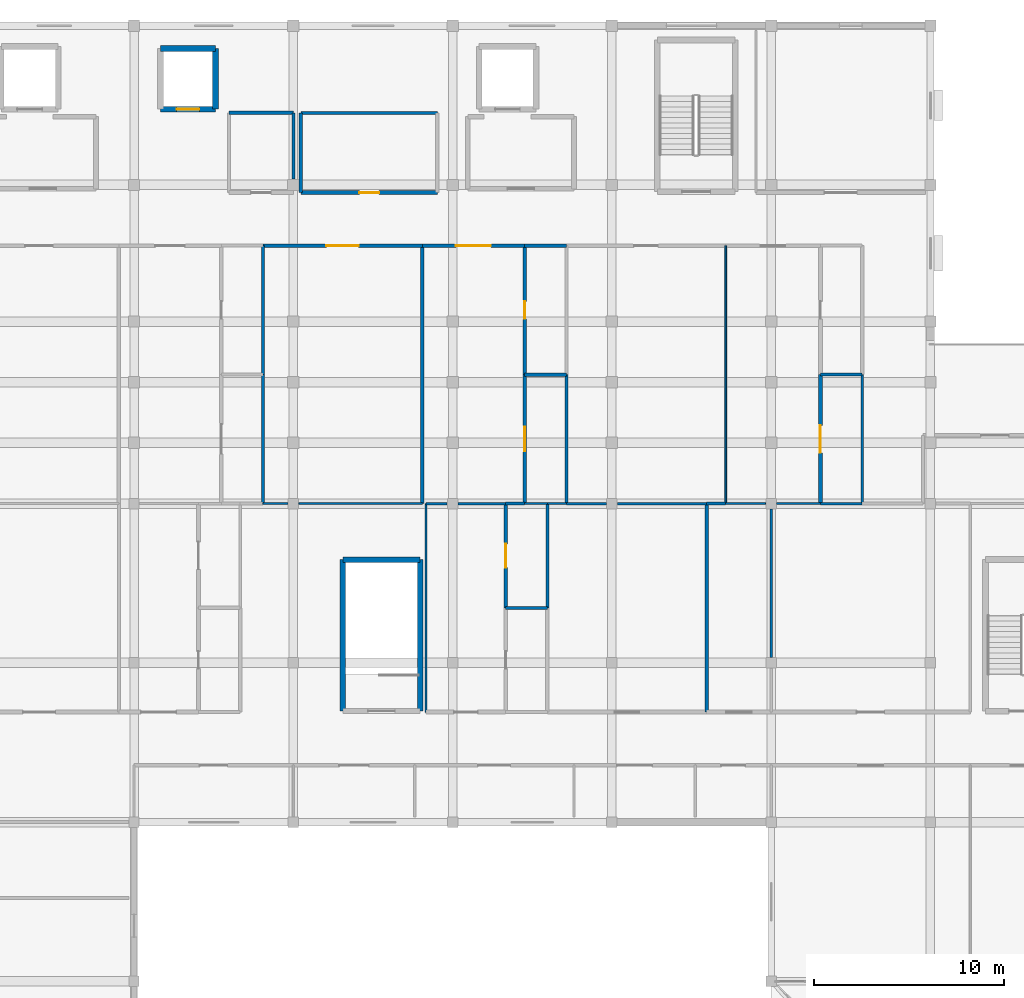
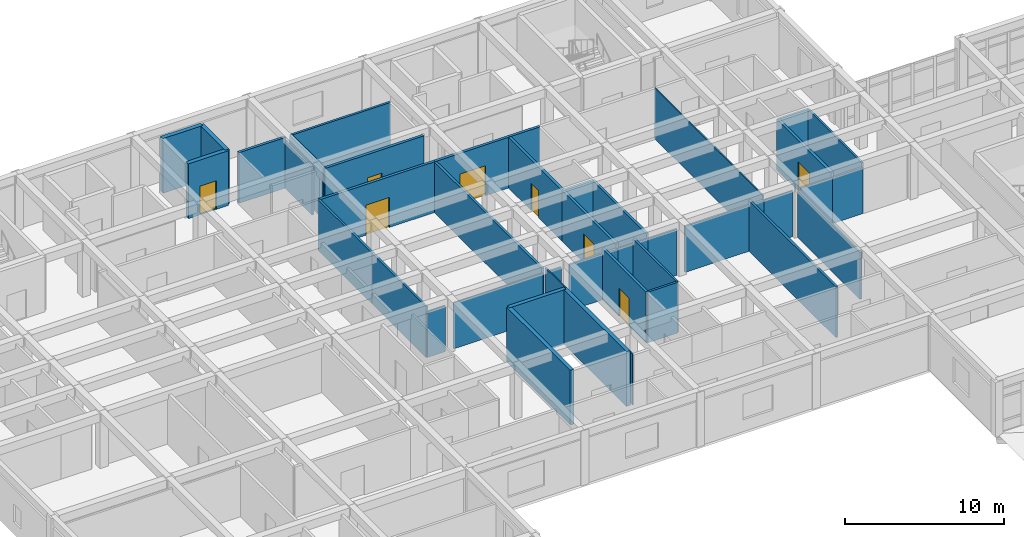
# One storey, part 49 of 77: 44 walls, 8 doors, 8 openings.
"""IFC4 building model written with IfcOpenShell, lengths in metres."""

from ifc_helpers import new_model, si_unit, direction, frame, frame_2d, origin, place, context, subcontext, project, spatial, rectangle, extrude, material, layer, layer_set, type_object, element, fill, save


model = new_model("IFC4")

# Units and contexts
model_context = context("Model", 3, precision=1e-05, world=origin(), true_north=direction((0.0, 1.0)))
body_context = subcontext(model_context, "Body", "Model", "MODEL_VIEW")
ifc_project = project(units=[si_unit("LENGTHUNIT", "METRE"), si_unit("AREAUNIT", "SQUARE_METRE"), si_unit("VOLUMEUNIT", "CUBIC_METRE"), si_unit("PLANEANGLEUNIT", "RADIAN"), si_unit("MASSUNIT", "GRAM", prefix="KILO")], contexts=[model_context])

# Site, building, storey
site_placement = place(None, origin())
site = spatial("IfcSite", under=ifc_project, at=site_placement, CompositionType="ELEMENT")
building_placement = place(site_placement, origin())
building = spatial("IfcBuilding", under=site, at=building_placement, Name="Varncliffe General Hospital", CompositionType="ELEMENT")
storey_placement = place(building_placement, frame((0.0, 0.0, 16.199951171875)))
storey = spatial("IfcBuildingStorey", under=building, at=storey_placement, Name="L03", CompositionType="ELEMENT", Elevation=16.199951171875)

# Walls
ifc_material_1 = material(Name="Acoustic clinical gypsum stud partition assembly", Category="gypsum")
ifc_layer_1 = layer(ifc_material_1, 0.1298828125)
ifc_layer_set_1 = layer_set([ifc_layer_1], Name="Acoustic clinical gypsum stud partition assembly")
wall_type_1 = type_object("IfcWallType", Name="Interior Partitioning IW11 (130mm)", PredefinedType="PARTITIONING", material=ifc_layer_set_1)
wall_1_placement = place(storey_placement, frame((42.2900390625, 99.60009765625, 0.0), z_axis=(0.0, 0.0, 1.0), x_axis=(1.0, 0.0, 0.0)))
element("IfcWall", 1, at=wall_1_placement, inside=storey, type_object=wall_type_1, Name="L03 Interior Partition Wall IW11-1408", PredefinedType="PARTITIONING", context=body_context, shape_type="SweptSolid", body=[
    extrude(rectangle(XDim=2.510009765625, YDim=0.1298828125, at=frame_2d((1.2548828125, 0.0))), origin(), (0.0, 0.0, 1.0), 3.53515625),
])
wall_2_placement = place(storey_placement, frame((40.60009765625, 99.60009765625, 0.0), z_axis=(0.0, 0.0, 1.0), x_axis=(1.0, 0.0, 0.0)))
element("IfcWall", 2, at=wall_2_placement, inside=storey, type_object=wall_type_1, Name="L03 Interior Partition Wall IW11-1409", PredefinedType="PARTITIONING", context=body_context, shape_type="SweptSolid", body=[
    extrude(rectangle(XDim=1.10986328125, YDim=0.1298828125, at=frame_2d((0.554931640625, 0.0))), origin(), (0.0, 0.0, 1.0), 3.53515625),
])
wall_3_placement = place(storey_placement, frame((50.68994140625, 99.60009765625, 0.0), z_axis=(0.0, 0.0, 1.0), x_axis=(1.0, 0.0, 0.0)))
element("IfcWall", 3, at=wall_3_placement, inside=storey, type_object=wall_type_1, Name="L03 Interior Partition Wall IW11-1413", PredefinedType="PARTITIONING", context=body_context, shape_type="SweptSolid", body=[
    extrude(rectangle(XDim=4.7099609375, YDim=0.1298828125, at=frame_2d((2.35498046875, 0.0))), origin(), (0.0, 0.0, 1.0), 3.53515625),
])
wall_4_placement = place(storey_placement, frame((48.0, 99.60009765625, 0.0), z_axis=(0.0, 0.0, 1.0), x_axis=(1.0, 0.0, 0.0)))
element("IfcWall", 4, at=wall_4_placement, inside=storey, type_object=wall_type_1, Name="L03 Interior Partition Wall IW11-1414", PredefinedType="PARTITIONING", context=body_context, shape_type="SweptSolid", body=[
    extrude(rectangle(XDim=2.110107421875, YDim=0.1298828125, at=frame_2d((1.05517578125, 0.0))), origin(), (0.0, 0.0, 1.0), 3.53515625),
])
wall_5_placement = place(storey_placement, frame((61.39990234375, 99.60009765625, 0.0), z_axis=(0.0, 0.0, 1.0), x_axis=(1.0, 0.0, 0.0)))
element("IfcWall", 5, at=wall_5_placement, inside=storey, type_object=wall_type_1, Name="L03 Interior Partition Wall IW11-1418", PredefinedType="PARTITIONING", context=body_context, shape_type="SweptSolid", body=[
    extrude(rectangle(XDim=2.2001953125, YDim=0.1298828125, at=frame_2d((1.10009765625, 0.0))), origin(), (0.0, 0.0, 1.0), 3.53515625),
])
wall_6_placement = place(storey_placement, frame((63.60009765625, 99.60009765625, 0.0), z_axis=(0.0, 0.0, 1.0), x_axis=(0.0, 1.0, 0.0)))
element("IfcWall", 6, at=wall_6_placement, inside=storey, type_object=wall_type_1, Name="L03 Interior Partition Wall IW11-1573", PredefinedType="PARTITIONING", context=body_context, shape_type="SweptSolid", body=[
    extrude(rectangle(XDim=6.7998046875, YDim=0.1298828125, at=frame_2d((3.39990234375, 0.0))), origin(), (0.0, 0.0, 1.0), 3.89013671875),
])
ifc_layer_2 = layer(ifc_material_1, 0.169921875)
ifc_layer_set_2 = layer_set([ifc_layer_2], Name="Acoustic clinical gypsum stud partition assembly")
wall_type_2 = type_object("IfcWallType", Name="Interior Partitioning IW20 (170mm)", PredefinedType="PARTITIONING", material=ifc_layer_set_2)
for number, where, z_axis, x_axis, name in (
    (7, (44.800048828125, 99.60009765625, 0.0), (0.0, 0.0, 1.0), (1.0, 0.0, 0.0), "L03 Interior Partition Wall IW20-1410"),
    (8, (55.39990234375, 99.60009765625, 0.0), (0.0, 0.0, 1.0), (1.0, 0.0, 0.0), "L03 Interior Partition Wall IW20-1415"),
):
    element("IfcWall", number, at=place(storey_placement, frame(where, z_axis=z_axis, x_axis=x_axis)), inside=storey, type_object=wall_type_2, Name=name, PredefinedType="PARTITIONING", context=body_context, shape_type="SweptSolid", body=[
        extrude(rectangle(XDim=1.0, YDim=0.169921875, at=frame_2d((0.5, 0.0))), origin(), (0.0, 0.0, 1.0), 3.53515625),
    ])
wall_7_placement = place(storey_placement, frame((40.39990234375, 99.60009765625, 0.0), z_axis=(0.0, 0.0, 1.0), x_axis=(0.0, 1.0, 0.0)))
element("IfcWall", 9, at=wall_7_placement, inside=storey, type_object=wall_type_2, Name="L03 Interior Partition Wall IW20-1550", PredefinedType="PARTITIONING", context=body_context, shape_type="SweptSolid", body=[
    extrude(rectangle(XDim=13.599853515625, YDim=0.169921875, at=frame_2d((6.7998046875, 0.0))), origin(), (0.0, 0.0, 1.0), 3.89013671875),
])
wall_8_placement = place(storey_placement, frame((48.0, 99.60009765625, 0.0), z_axis=(0.0, 0.0, 1.0), x_axis=(0.0, 1.0, 0.0)))
element("IfcWall", 10, at=wall_8_placement, inside=storey, type_object=wall_type_2, Name="L03 Interior Partition Wall IW20-1560", PredefinedType="PARTITIONING", context=body_context, shape_type="SweptSolid", body=[
    extrude(rectangle(XDim=6.7998046875, YDim=0.169921875, at=frame_2d((3.39990234375, 0.0))), origin(), (0.0, 0.0, 1.0), 3.89013671875),
])
wall_9_placement = place(storey_placement, frame((55.39990234375, 88.60009765625, 0.0), z_axis=(0.0, 0.0, 1.0), x_axis=(0.0, 1.0, 0.0)))
element("IfcWall", 11, at=wall_9_placement, inside=storey, type_object=wall_type_2, Name="L03 Interior Partition Wall IW20-1565", PredefinedType="PARTITIONING", context=body_context, shape_type="SweptSolid", body=[
    extrude(rectangle(XDim=11.0, YDim=0.169921875, at=frame_2d((5.5, 0.0))), origin(), (0.0, 0.0, 1.0), 3.89013671875),
])
ifc_layer_3 = layer(ifc_material_1, 0.14990234375)
ifc_layer_set_3 = layer_set([ifc_layer_3], Name="Acoustic clinical gypsum stud partition assembly")
wall_type_3 = type_object("IfcWallType", Name="Interior Partitioning IW35 (150mm)", PredefinedType="PARTITIONING", material=ifc_layer_set_3)
wall_10_placement = place(storey_placement, frame((32.0, 99.60009765625, 0.0), z_axis=(0.0, 0.0, 1.0), x_axis=(0.0, 1.0, 0.0)))
element("IfcWall", 12, at=wall_10_placement, inside=storey, type_object=wall_type_3, Name="L03 Interior Partition Wall IW35-1544", PredefinedType="PARTITIONING", context=body_context, shape_type="SweptSolid", body=[
    extrude(rectangle(XDim=6.7998046875, YDim=0.14990234375, at=frame_2d((3.39990234375, 0.0))), origin(), (0.0, 0.0, 1.0), 3.89013671875),
])
wall_11_placement = place(storey_placement, frame((47.0, 94.10009765625, 0.0), z_axis=(0.0, 0.0, 1.0), x_axis=(0.0, 1.0, 0.0)))
element("IfcWall", 13, at=wall_11_placement, inside=storey, type_object=wall_type_3, Name="L03 Interior Partition Wall IW35-1559", PredefinedType="PARTITIONING", context=body_context, shape_type="SweptSolid", body=[
    extrude(rectangle(XDim=5.5, YDim=0.14990234375, at=frame_2d((2.75, 0.0))), origin(), (0.0, 0.0, 1.0), 3.89013671875),
])
wall_12_placement = place(storey_placement, frame((58.800048828125, 91.489990234375, 0.0), z_axis=(0.0, 0.0, 1.0), x_axis=(0.0, 1.0, 0.0)))
element("IfcWall", 14, at=wall_12_placement, inside=storey, type_object=wall_type_3, Name="L03 Interior Partition Wall IW35-1569", PredefinedType="PARTITIONING", context=body_context, shape_type="SweptSolid", body=[
    extrude(rectangle(XDim=7.820068359375, YDim=0.14990234375, at=frame_2d((3.91015625, 0.0))), origin(), (0.0, 0.0, 1.0), 3.5849609375),
])
ifc_layer_4 = layer(ifc_material_1, 0.090087890625)
ifc_layer_set_4 = layer_set([ifc_layer_4], Name="Acoustic clinical gypsum stud partition assembly")
wall_type_4 = type_object("IfcWallType", Name="Interior Partitioning IW42 (90mm)", PredefinedType="PARTITIONING", material=ifc_layer_set_4)
wall_13_placement = place(storey_placement, frame((33.889892578125, 99.60009765625, 0.0), z_axis=(0.0, 0.0, 1.0), x_axis=(1.0, 0.0, 0.0)))
element("IfcWall", 15, at=wall_13_placement, inside=storey, type_object=wall_type_4, Name="L03 Interior Partition Wall IW42-1406", PredefinedType="PARTITIONING", context=body_context, shape_type="SweptSolid", body=[
    extrude(rectangle(XDim=6.510009765625, YDim=0.090087890625, at=frame_2d((3.2548828125, 0.0))), origin(), (0.0, 0.0, 1.0), 3.53515625),
])
wall_14_placement = place(storey_placement, frame((32.0, 99.60009765625, 0.0), z_axis=(0.0, 0.0, 1.0), x_axis=(1.0, 0.0, 0.0)))
element("IfcWall", 16, at=wall_14_placement, inside=storey, type_object=wall_type_4, Name="L03 Interior Partition Wall IW42-1407", PredefinedType="PARTITIONING", context=body_context, shape_type="SweptSolid", body=[
    extrude(rectangle(XDim=1.31005859375, YDim=0.090087890625, at=frame_2d((0.655029296875, 0.0))), origin(), (0.0, 0.0, 1.0), 3.53515625),
])
wall_15_placement = place(storey_placement, frame((45.800048828125, 99.60009765625, 0.0), z_axis=(0.0, 0.0, 1.0), x_axis=(1.0, 0.0, 0.0)))
element("IfcWall", 17, at=wall_15_placement, inside=storey, type_object=wall_type_4, Name="L03 Interior Partition Wall IW42-1411", PredefinedType="PARTITIONING", context=body_context, shape_type="SweptSolid", body=[
    extrude(rectangle(XDim=1.199951171875, YDim=0.090087890625, at=frame_2d((0.60009765625, 0.0))), origin(), (0.0, 0.0, 1.0), 3.53515625),
])
wall_16_placement = place(storey_placement, frame((56.39990234375, 99.60009765625, 0.0), z_axis=(0.0, 0.0, 1.0), x_axis=(1.0, 0.0, 0.0)))
element("IfcWall", 18, at=wall_16_placement, inside=storey, type_object=wall_type_4, Name="L03 Interior Partition Wall IW42-1416", PredefinedType="PARTITIONING", context=body_context, shape_type="SweptSolid", body=[
    extrude(rectangle(XDim=2.110107421875, YDim=0.090087890625, at=frame_2d((1.05517578125, 0.0))), origin(), (0.0, 0.0, 1.0), 3.53515625),
])
wall_17_placement = place(storey_placement, frame((40.60009765625, 88.60009765625, 0.0), z_axis=(0.0, 0.0, 1.0), x_axis=(0.0, 1.0, 0.0)))
element("IfcWall", 19, at=wall_17_placement, inside=storey, type_object=wall_type_4, Name="L03 Interior Partition Wall IW42-1551", PredefinedType="PARTITIONING", context=body_context, shape_type="SweptSolid", body=[
    extrude(rectangle(XDim=11.0, YDim=0.090087890625, at=frame_2d((5.5, 0.0))), origin(), (0.0, 0.0, 1.0), 3.89013671875),
])
wall_18_placement = place(storey_placement, frame((56.39990234375, 99.60009765625, 0.0), z_axis=(0.0, 0.0, 1.0), x_axis=(0.0, 1.0, 0.0)))
element("IfcWall", 20, at=wall_18_placement, inside=storey, type_object=wall_type_4, Name="L03 Interior Partition Wall IW42-1566", PredefinedType="PARTITIONING", context=body_context, shape_type="SweptSolid", body=[
    extrude(rectangle(XDim=13.599853515625, YDim=0.090087890625, at=frame_2d((6.7998046875, 0.0))), origin(), (0.0, 0.0, 1.0), 3.89013671875),
])
ifc_layer_5 = layer(ifc_material_1, 0.110107421875)
ifc_layer_set_5 = layer_set([ifc_layer_5], Name="Acoustic clinical gypsum stud partition assembly")
wall_type_5 = type_object("IfcWallType", Name="Interior Partitioning IW65 (110mm)", PredefinedType="PARTITIONING", material=ifc_layer_set_5)
wall_19_placement = place(storey_placement, frame((47.0, 99.60009765625, 0.0), z_axis=(0.0, 0.0, 1.0), x_axis=(1.0, 0.0, 0.0)))
element("IfcWall", 21, at=wall_19_placement, inside=storey, type_object=wall_type_5, Name="L03 Interior Partition Wall IW65-1412", PredefinedType="PARTITIONING", context=body_context, shape_type="SweptSolid", body=[
    extrude(rectangle(XDim=1.0, YDim=0.110107421875, at=frame_2d((0.5, 0.0))), origin(), (0.0, 0.0, 1.0), 3.53515625),
])
wall_20_placement = place(storey_placement, frame((59.090087890625, 99.60009765625, 0.0), z_axis=(0.0, 0.0, 1.0), x_axis=(1.0, 0.0, 0.0)))
element("IfcWall", 22, at=wall_20_placement, inside=storey, type_object=wall_type_5, Name="L03 Interior Partition Wall IW65-1417", PredefinedType="PARTITIONING", context=body_context, shape_type="SweptSolid", body=[
    extrude(rectangle(XDim=2.309814453125, YDim=0.110107421875, at=frame_2d((1.15478515625, 0.0))), origin(), (0.0, 0.0, 1.0), 3.53515625),
])

# Wall, opening, door
ifc_material_2 = material(Name="Fire-rated gypsum and mineral-wool partition assembly", Category="gypsum")
ifc_layer_6 = layer(ifc_material_2, 0.199951171875)
ifc_layer_set_6 = layer_set([ifc_layer_6], Name="Fire-rated gypsum and mineral-wool partition assembly")
wall_type_6 = type_object("IfcWallType", Name="Interior Partitioning PW63 (200mm)", PredefinedType="PARTITIONING", material=ifc_layer_set_6)
wall_21_placement = place(storey_placement, frame((32.0, 113.199951171875, 0.0), z_axis=(0.0, 0.0, 1.0), x_axis=(1.0, 0.0, 0.0)))
wall_21 = element("IfcWall", 23, at=wall_21_placement, inside=storey, type_object=wall_type_6, Name="L03 Interior Partition Wall PW63-1464", PredefinedType="PARTITIONING", context=body_context, shape_type="SweptSolid", body=[
    extrude(rectangle(XDim=8.39990234375, YDim=0.199951171875, at=frame_2d((4.199951171875, 0.0))), origin(), (0.0, 0.0, 1.0), 3.89013671875),
])
opening_1_placement = place(wall_21_placement, frame((3.35009765625, 0.0, 0.0)))
opening_1 = element("IfcOpeningElement", 24, at=opening_1_placement, cuts=wall_21, Name="Opening DC50", PredefinedType="OPENING", context=body_context, shape_type="SweptSolid", body=[
    extrude(rectangle(XDim=1.699951171875, YDim=2.300048828125, at=frame_2d((0.85009765625, 1.14990234375))), frame((0.0, 0.10986328125, 0.0), z_axis=(0.0, -1.0, 0.0), x_axis=(1.0, 0.0, 0.0)), (0.0, 0.0, 1.0), 0.219970703125),
])
ifc_material_3 = material(Name="Fire-rated hospital steel-frame vision-panel door", Category="steel")
door_type_1 = type_object("IfcDoorType", Name="Interior Hospital Door DC50 (1700x2300)", OperationType="NOTDEFINED", PredefinedType="DOOR", material=ifc_material_3)
door_1_placement = place(opening_1_placement, frame((1.699951171875, 0.0, 0.0), z_axis=(0.0, 0.0, 1.0), x_axis=(-1.0, 0.0, 0.0)))
door_1 = element("IfcDoor", 25, at=door_1_placement, inside=storey, type_object=door_type_1, Name="L03 Inpatient Physiotherapy Gym Bay 107 Door", OperationType="SINGLE_SWING_RIGHT", OverallHeight=2.300048828125, OverallWidth=1.699951171875, PredefinedType="DOOR", context=body_context, shape_type="SweptSolid", body=[
    extrude(rectangle(XDim=1.699951171875, YDim=2.300048828125, at=frame_2d((0.85009765625, 1.14990234375))), frame((0.0, 0.02490234375, 0.0), z_axis=(0.0, -1.0, 0.0), x_axis=(1.0, 0.0, 0.0)), (0.0, 0.0, 1.0), 0.050048828125),
])
fill(opening_1, door_1)

wall_22_placement = place(storey_placement, frame((40.39990234375, 113.199951171875, 0.0), z_axis=(0.0, 0.0, 1.0), x_axis=(1.0, 0.0, 0.0)))
wall_22 = element("IfcWall", 26, at=wall_22_placement, inside=storey, type_object=wall_type_6, Name="L03 Interior Partition Wall PW63-1465", PredefinedType="PARTITIONING", context=body_context, shape_type="SweptSolid", body=[
    extrude(rectangle(XDim=5.400146484375, YDim=0.199951171875, at=frame_2d((2.7001953125, 0.0))), origin(), (0.0, 0.0, 1.0), 3.89013671875),
])
opening_2_placement = place(wall_22_placement, frame((1.77490234375, 0.0, 0.0)))
opening_2 = element("IfcOpeningElement", 27, at=opening_2_placement, cuts=wall_22, Name="Opening DC38", PredefinedType="OPENING", context=body_context, shape_type="SweptSolid", body=[
    extrude(rectangle(XDim=1.85009765625, YDim=2.300048828125, at=frame_2d((0.925048828125, 1.14990234375))), frame((0.0, 0.10986328125, 0.0), z_axis=(0.0, -1.0, 0.0), x_axis=(1.0, 0.0, 0.0)), (0.0, 0.0, 1.0), 0.219970703125),
])
door_type_2 = type_object("IfcDoorType", Name="Interior Hospital Door DC38 (1850x2300)", OperationType="NOTDEFINED", PredefinedType="DOOR", material=ifc_material_3)
door_2_placement = place(opening_2_placement, frame((1.85009765625, 0.0, 0.0), z_axis=(0.0, 0.0, 1.0), x_axis=(-1.0, 0.0, 0.0)))
door_2 = element("IfcDoor", 28, at=door_2_placement, inside=storey, type_object=door_type_2, Name="L03 Orthopaedic Inpatient Ward Suite 108 Door", OperationType="SINGLE_SWING_LEFT", OverallHeight=2.300048828125, OverallWidth=1.85009765625, PredefinedType="DOOR", context=body_context, shape_type="SweptSolid", body=[
    extrude(rectangle(XDim=1.85009765625, YDim=2.300048828125, at=frame_2d((0.925048828125, 1.14990234375))), frame((0.0, 0.02490234375, 0.0), z_axis=(0.0, -1.0, 0.0), x_axis=(1.0, 0.0, 0.0)), (0.0, 0.0, 1.0), 0.050048828125),
])
fill(opening_2, door_2)

wall_23_placement = place(storey_placement, frame((34.0, 116.0, 0.0), z_axis=(0.0, 0.0, 1.0), x_axis=(1.0, 0.0, 0.0)))
wall_23 = element("IfcWall", 29, at=wall_23_placement, inside=storey, type_object=wall_type_6, Name="L03 Interior Partition Wall PW63-1483", PredefinedType="PARTITIONING", context=body_context, shape_type="SweptSolid", body=[
    extrude(rectangle(XDim=7.199951171875, YDim=0.199951171875, at=frame_2d((3.60009765625, 0.0))), origin(), (0.0, 0.0, 1.0), 3.89013671875),
])
opening_3_placement = place(wall_23_placement, frame((3.080078125, 0.0, 0.0)))
opening_3 = element("IfcOpeningElement", 30, at=opening_3_placement, cuts=wall_23, Name="Opening DI77", PredefinedType="OPENING", context=body_context, shape_type="SweptSolid", body=[
    extrude(rectangle(XDim=1.0400390625, YDim=2.10009765625, at=frame_2d((0.52001953125, 1.050048828125))), frame((0.0, 0.10986328125, 0.0), z_axis=(0.0, -1.0, 0.0), x_axis=(1.0, 0.0, 0.0)), (0.0, 0.0, 1.0), 0.219970703125),
])
ifc_material_4 = material(Name="Solid-core antimicrobial hospital oak veneer door", Category="wood")
door_type_3 = type_object("IfcDoorType", Name="Interior Hospital Door DI77 (1040x2100)", OperationType="NOTDEFINED", PredefinedType="DOOR", material=ifc_material_4)
door_3_placement = place(opening_3_placement, origin())
door_3 = element("IfcDoor", 31, at=door_3_placement, inside=storey, type_object=door_type_3, Name="L03 Staff and Visitor WC L03-NW Door", OperationType="SINGLE_SWING_LEFT", OverallHeight=2.10009765625, OverallWidth=1.0400390625, PredefinedType="DOOR", context=body_context, shape_type="SweptSolid", body=[
    extrude(rectangle(XDim=1.0400390625, YDim=2.10009765625, at=frame_2d((0.52001953125, 1.050048828125))), frame((0.0, 0.02490234375, 0.0), z_axis=(0.0, -1.0, 0.0), x_axis=(1.0, 0.0, 0.0)), (0.0, 0.0, 1.0), 0.050048828125),
])
fill(opening_3, door_3)

wall_24_placement = place(storey_placement, frame((44.800048828125, 94.10009765625, 0.0), z_axis=(0.0, 0.0, 1.0), x_axis=(0.0, 1.0, 0.0)))
wall_24 = element("IfcWall", 32, at=wall_24_placement, inside=storey, type_object=wall_type_6, Name="L03 Interior Partition Wall PW63-1555", PredefinedType="PARTITIONING", context=body_context, shape_type="SweptSolid", body=[
    extrude(rectangle(XDim=5.5, YDim=0.199951171875, at=frame_2d((2.75, 0.0))), origin(), (0.0, 0.0, 1.0), 3.89013671875),
])
opening_4_placement = place(wall_24_placement, frame((2.125, 0.0, 0.0)))
opening_4 = element("IfcOpeningElement", 33, at=opening_4_placement, cuts=wall_24, Name="Opening DC44", PredefinedType="OPENING", context=body_context, shape_type="SweptSolid", body=[
    extrude(rectangle(XDim=1.25, YDim=2.14990234375, at=frame_2d((0.625, 1.074951171875))), frame((0.0, 0.10986328125, 0.0), z_axis=(0.0, -1.0, 0.0), x_axis=(1.0, 0.0, 0.0)), (0.0, 0.0, 1.0), 0.219970703125),
])
door_type_4 = type_object("IfcDoorType", Name="Interior Hospital Door DC44 (1250x2150)", OperationType="NOTDEFINED", PredefinedType="DOOR", material=ifc_material_3)
door_4_placement = place(opening_4_placement, frame((1.25, 0.0, 0.0), z_axis=(0.0, 0.0, 1.0), x_axis=(-1.0, 0.0, 0.0)))
door_4 = element("IfcDoor", 34, at=door_4_placement, inside=storey, type_object=door_type_4, Name="L03 Patient Medication and Hygiene Bay 54 Door", OperationType="SINGLE_SWING_RIGHT", OverallHeight=2.14990234375, OverallWidth=1.25, PredefinedType="DOOR", context=body_context, shape_type="SweptSolid", body=[
    extrude(rectangle(XDim=1.25, YDim=2.14990234375, at=frame_2d((0.625, 1.074951171875))), frame((0.0, 0.02490234375, 0.0), z_axis=(0.0, -1.0, 0.0), x_axis=(1.0, 0.0, 0.0)), (0.0, 0.0, 1.0), 0.050048828125),
])
fill(opening_4, door_4)

wall_25_placement = place(storey_placement, frame((45.800048828125, 99.60009765625, 0.0), z_axis=(0.0, 0.0, 1.0), x_axis=(0.0, 1.0, 0.0)))
wall_25 = element("IfcWall", 35, at=wall_25_placement, inside=storey, type_object=wall_type_6, Name="L03 Interior Partition Wall PW63-1556", PredefinedType="PARTITIONING", context=body_context, shape_type="SweptSolid", body=[
    extrude(rectangle(XDim=6.7998046875, YDim=0.199951171875, at=frame_2d((3.39990234375, 0.0))), origin(), (0.0, 0.0, 1.0), 3.89013671875),
])
opening_5_placement = place(wall_25_placement, frame((2.75, 0.0, 0.0)))
opening_5 = element("IfcOpeningElement", 36, at=opening_5_placement, cuts=wall_25, Name="Opening DC88", PredefinedType="OPENING", context=body_context, shape_type="SweptSolid", body=[
    extrude(rectangle(XDim=1.300048828125, YDim=2.199951171875, at=frame_2d((0.64990234375, 1.10009765625))), frame((0.0, 0.10986328125, 0.0), z_axis=(0.0, -1.0, 0.0), x_axis=(1.0, 0.0, 0.0)), (0.0, 0.0, 1.0), 0.219970703125),
])
door_type_5 = type_object("IfcDoorType", Name="Interior Hospital Door DC88 (1300x2200)", OperationType="NOTDEFINED", PredefinedType="DOOR", material=ifc_material_3)
door_5_placement = place(opening_5_placement, frame((1.300048828125, 0.0, 0.0), z_axis=(0.0, 0.0, 1.0), x_axis=(-1.0, 0.0, 0.0)))
door_5 = element("IfcDoor", 37, at=door_5_placement, inside=storey, type_object=door_type_5, Name="L03 Patient Medication and Hygiene Bay 110 Door", OperationType="SINGLE_SWING_LEFT", OverallHeight=2.199951171875, OverallWidth=1.300048828125, PredefinedType="DOOR", context=body_context, shape_type="SweptSolid", body=[
    extrude(rectangle(XDim=1.300048828125, YDim=2.199951171875, at=frame_2d((0.64990234375, 1.10009765625))), frame((0.0, 0.02490234375, 0.0), z_axis=(0.0, -1.0, 0.0), x_axis=(1.0, 0.0, 0.0)), (0.0, 0.0, 1.0), 0.050048828125),
])
fill(opening_5, door_5)

wall_26_placement = place(storey_placement, frame((45.800048828125, 106.39990234375, 0.0), z_axis=(0.0, 0.0, 1.0), x_axis=(0.0, 1.0, 0.0)))
wall_26 = element("IfcWall", 38, at=wall_26_placement, inside=storey, type_object=wall_type_6, Name="L03 Interior Partition Wall PW63-1557", PredefinedType="PARTITIONING", context=body_context, shape_type="SweptSolid", body=[
    extrude(rectangle(XDim=6.800048828125, YDim=0.199951171875, at=frame_2d((3.39990234375, 0.0))), origin(), (0.0, 0.0, 1.0), 3.89013671875),
])
opening_6_placement = place(wall_26_placement, frame((2.93994140625, 0.0, 0.0)))
opening_6 = element("IfcOpeningElement", 39, at=opening_6_placement, cuts=wall_26, Name="Opening DI70", PredefinedType="OPENING", context=body_context, shape_type="SweptSolid", body=[
    extrude(rectangle(XDim=0.919921875, YDim=2.10009765625, at=frame_2d((0.4599609375, 1.050048828125))), frame((0.0, 0.10986328125, 0.0), z_axis=(0.0, -1.0, 0.0), x_axis=(1.0, 0.0, 0.0)), (0.0, 0.0, 1.0), 0.219970703125),
])
door_type_6 = type_object("IfcDoorType", Name="Interior Hospital Door DI70 (920x2100)", OperationType="NOTDEFINED", PredefinedType="DOOR", material=ifc_material_4)
door_6_placement = place(opening_6_placement, frame((0.919921875, 0.0, 0.0), z_axis=(0.0, 0.0, 1.0), x_axis=(-1.0, 0.0, 0.0)))
door_6 = element("IfcDoor", 40, at=door_6_placement, inside=storey, type_object=door_type_6, Name="L03 En-Suite Bathroom 109 Door", OperationType="SINGLE_SWING_RIGHT", OverallHeight=2.10009765625, OverallWidth=0.919921875, PredefinedType="DOOR", context=body_context, shape_type="SweptSolid", body=[
    extrude(rectangle(XDim=0.919921875, YDim=2.10009765625, at=frame_2d((0.4599609375, 1.050048828125))), frame((0.0, 0.02490234375, 0.0), z_axis=(0.0, -1.0, 0.0), x_axis=(1.0, 0.0, 0.0)), (0.0, 0.0, 1.0), 0.050048828125),
])
fill(opening_6, door_6)

wall_27_placement = place(storey_placement, frame((61.39990234375, 99.60009765625, 0.0), z_axis=(0.0, 0.0, 1.0), x_axis=(0.0, 1.0, 0.0)))
wall_27 = element("IfcWall", 41, at=wall_27_placement, inside=storey, type_object=wall_type_6, Name="L03 Interior Partition Wall PW63-1571", PredefinedType="PARTITIONING", context=body_context, shape_type="SweptSolid", body=[
    extrude(rectangle(XDim=6.7998046875, YDim=0.199951171875, at=frame_2d((3.39990234375, 0.0))), origin(), (0.0, 0.0, 1.0), 3.89013671875),
])
opening_7_placement = place(wall_27_placement, frame((2.675048828125, 0.0, 0.0)))
opening_7 = element("IfcOpeningElement", 42, at=opening_7_placement, cuts=wall_27, Name="Opening DC66", PredefinedType="OPENING", context=body_context, shape_type="SweptSolid", body=[
    extrude(rectangle(XDim=1.449951171875, YDim=2.25, at=frame_2d((0.72509765625, 1.125))), frame((0.0, 0.10986328125, 0.0), z_axis=(0.0, -1.0, 0.0), x_axis=(1.0, 0.0, 0.0)), (0.0, 0.0, 1.0), 0.219970703125),
])
door_type_7 = type_object("IfcDoorType", Name="Interior Hospital Door DC66 (1450x2250)", OperationType="NOTDEFINED", PredefinedType="DOOR", material=ifc_material_3)
door_7_placement = place(opening_7_placement, frame((1.449951171875, 0.0, 0.0), z_axis=(0.0, 0.0, 1.0), x_axis=(-1.0, 0.0, 0.0)))
door_7 = element("IfcDoor", 43, at=door_7_placement, inside=storey, type_object=door_type_7, Name="L03 Patient Medication and Hygiene Bay 114 Door", OperationType="SINGLE_SWING_LEFT", OverallHeight=2.25, OverallWidth=1.449951171875, PredefinedType="DOOR", context=body_context, shape_type="SweptSolid", body=[
    extrude(rectangle(XDim=1.449951171875, YDim=2.25, at=frame_2d((0.72509765625, 1.125))), frame((0.0, 0.02490234375, 0.0), z_axis=(0.0, -1.0, 0.0), x_axis=(1.0, 0.0, 0.0)), (0.0, 0.0, 1.0), 0.050048828125),
])
fill(opening_7, door_7)

# Walls
ifc_material_5 = material(Name="Moisture-resistant plumbing chase wall assembly", Category="gypsum")
ifc_layer_7 = layer(ifc_material_5, 0.18994140625)
ifc_layer_set_7 = layer_set([ifc_layer_7], Name="Moisture-resistant plumbing chase wall assembly")
wall_type_7 = type_object("IfcWallType", Name="Interior Plumbingwall MW17 (190mm)", PredefinedType="PLUMBINGWALL", material=ifc_layer_set_7)
for number, where, z_axis, x_axis, name in (
    (44, (45.800048828125, 106.39990234375, 0.0), (0.0, 0.0, 1.0), (1.0, 0.0, 0.0), "L03 Interior Plumbing Wall MW17-1454"),
    (45, (45.800048828125, 113.199951171875, 0.0), (0.0, 0.0, 1.0), (1.0, 0.0, 0.0), "L03 Interior Plumbing Wall MW17-1466"),
):
    element("IfcWall", number, at=place(storey_placement, frame(where, z_axis=z_axis, x_axis=x_axis)), inside=storey, type_object=wall_type_7, Name=name, PredefinedType="PLUMBINGWALL", context=body_context, shape_type="SweptSolid", body=[
        extrude(rectangle(XDim=2.199951171875, YDim=0.18994140625, at=frame_2d((1.10009765625, 0.0))), origin(), (0.0, 0.0, 1.0), 3.89013671875),
    ])
wall_28_placement = place(storey_placement, frame((30.199951171875, 120.199951171875, 0.0), z_axis=(0.0, 0.0, 1.0), x_axis=(1.0, 0.0, 0.0)))
element("IfcWall", 46, at=wall_28_placement, inside=storey, type_object=wall_type_7, Name="L03 Interior Plumbing Wall MW17-1502", PredefinedType="PLUMBINGWALL", context=body_context, shape_type="SweptSolid", body=[
    extrude(rectangle(XDim=3.400146484375, YDim=0.18994140625, at=frame_2d((1.7001953125, 0.0))), origin(), (0.0, 0.0, 1.0), 3.89013671875),
])
wall_29_placement = place(storey_placement, frame((34.0, 116.0, 0.0), z_axis=(0.0, 0.0, 1.0), x_axis=(0.0, 1.0, 0.0)))
element("IfcWall", 47, at=wall_29_placement, inside=storey, type_object=wall_type_7, Name="L03 Interior Plumbing Wall MW17-1548", PredefinedType="PLUMBINGWALL", context=body_context, shape_type="SweptSolid", body=[
    extrude(rectangle(XDim=4.199951171875, YDim=0.18994140625, at=frame_2d((2.10009765625, 0.0))), origin(), (0.0, 0.0, 1.0), 3.89013671875),
])
ifc_layer_8 = layer(ifc_material_5, 0.159912109375)
ifc_layer_set_8 = layer_set([ifc_layer_8], Name="Moisture-resistant plumbing chase wall assembly")
wall_type_8 = type_object("IfcWallType", Name="Interior Plumbingwall MW31 (160mm)", PredefinedType="PLUMBINGWALL", material=ifc_layer_set_8)
wall_30_placement = place(storey_placement, frame((44.800048828125, 94.10009765625, 0.0), z_axis=(0.0, 0.0, 1.0), x_axis=(1.0, 0.0, 0.0)))
element("IfcWall", 48, at=wall_30_placement, inside=storey, type_object=wall_type_8, Name="L03 Interior Plumbing Wall MW31-1397", PredefinedType="PLUMBINGWALL", context=body_context, shape_type="SweptSolid", body=[
    extrude(rectangle(XDim=2.199951171875, YDim=0.159912109375, at=frame_2d((1.10009765625, 0.0))), origin(), (0.0, 0.0, 1.0), 3.89013671875),
])
wall_31_placement = place(storey_placement, frame((61.39990234375, 106.39990234375, 0.0), z_axis=(0.0, 0.0, 1.0), x_axis=(1.0, 0.0, 0.0)))
element("IfcWall", 49, at=wall_31_placement, inside=storey, type_object=wall_type_8, Name="L03 Interior Plumbing Wall MW31-1455", PredefinedType="PLUMBINGWALL", context=body_context, shape_type="SweptSolid", body=[
    extrude(rectangle(XDim=2.2001953125, YDim=0.159912109375, at=frame_2d((1.10009765625, 0.0))), origin(), (0.0, 0.0, 1.0), 3.89013671875),
])
wall_32_placement = place(storey_placement, frame((34.0, 120.199951171875, 0.0), z_axis=(0.0, 0.0, 1.0), x_axis=(1.0, 0.0, 0.0)))
element("IfcWall", 50, at=wall_32_placement, inside=storey, type_object=wall_type_8, Name="L03 Interior Plumbing Wall MW31-1503", PredefinedType="PLUMBINGWALL", context=body_context, shape_type="SweptSolid", body=[
    extrude(rectangle(XDim=7.199951171875, YDim=0.159912109375, at=frame_2d((3.60009765625, 0.0))), origin(), (0.0, 0.0, 1.0), 3.89013671875),
])
wall_33_placement = place(storey_placement, frame((32.0, 106.39990234375, 0.0), z_axis=(0.0, 0.0, 1.0), x_axis=(0.0, 1.0, 0.0)))
element("IfcWall", 51, at=wall_33_placement, inside=storey, type_object=wall_type_8, Name="L03 Interior Plumbing Wall MW31-1545", PredefinedType="PLUMBINGWALL", context=body_context, shape_type="SweptSolid", body=[
    extrude(rectangle(XDim=6.800048828125, YDim=0.159912109375, at=frame_2d((3.39990234375, 0.0))), origin(), (0.0, 0.0, 1.0), 3.89013671875),
])
wall_34_placement = place(storey_placement, frame((33.60009765625, 116.715087890625, 0.0), z_axis=(0.0, 0.0, 1.0), x_axis=(0.0, 1.0, 0.0)))
element("IfcWall", 52, at=wall_34_placement, inside=storey, type_object=wall_type_8, Name="L03 Interior Plumbing Wall MW31-1547", PredefinedType="PLUMBINGWALL", context=body_context, shape_type="SweptSolid", body=[
    extrude(rectangle(XDim=3.48486328125, YDim=0.159912109375, at=frame_2d((1.742431640625, 0.0))), origin(), (0.0, 0.0, 1.0), 3.5849609375),
])

# Wall, opening, door
ifc_material_6 = material(Name="Concrete C40/50 (CSA A23.1 40 MPa)", Category="concrete")
ifc_layer_9 = layer(ifc_material_6, 0.300048828125)
ifc_layer_set_9 = layer_set([ifc_layer_9], Name="Concrete C40/50 (CSA A23.1 40 MPa)")
wall_type_9 = type_object("IfcWallType", Name="Reinforced Concrete Core Shear Wall CW12 (300mm)", PredefinedType="SHEAR", material=ifc_layer_set_9)
wall_35_placement = place(storey_placement, frame((26.60009765625, 120.39990234375, 0.0), z_axis=(0.0, 0.0, 1.0), x_axis=(1.0, 0.0, 0.0)))
wall_35 = element("IfcWall", 53, at=wall_35_placement, inside=storey, type_object=wall_type_9, Name="L03 LF04 Elevator Shaft Wall South", PredefinedType="SHEAR", context=body_context, shape_type="SweptSolid", body=[
    extrude(rectangle(XDim=2.89990234375, YDim=0.300048828125, at=frame_2d((1.449951171875, 0.0))), origin(), (0.0, 0.0, 1.0), 4.199951171875),
])
opening_8_placement = place(wall_35_placement, frame((0.85009765625, 0.0, 0.0)))
opening_8 = element("IfcOpeningElement", 54, at=opening_8_placement, cuts=wall_35, Name="Opening LD01", PredefinedType="OPENING", context=body_context, shape_type="SweptSolid", body=[
    extrude(rectangle(XDim=1.199951171875, YDim=2.199951171875, at=frame_2d((0.60009765625, 1.10009765625))), frame((0.0, 0.16015625, 0.0), z_axis=(0.0, -1.0, 0.0), x_axis=(1.0, 0.0, 0.0)), (0.0, 0.0, 1.0), 0.320068359375),
])
ifc_material_7 = material(Name="Brushed stainless-steel sliding elevator landing door", Category="steel")
door_type_8 = type_object("IfcDoorType", Name="Lift Landing Door LD01 (1200x2200)", OperationType="DOUBLE_DOOR_SLIDING", PredefinedType="DOOR", material=ifc_material_7)
door_8_placement = place(opening_8_placement, origin())
door_8 = element("IfcDoor", 55, at=door_8_placement, inside=storey, type_object=door_type_8, Name="Lift Landing Door LF04 L03", OperationType="DOUBLE_DOOR_SLIDING", OverallHeight=2.199951171875, OverallWidth=1.199951171875, PredefinedType="DOOR", context=body_context, shape_type="SweptSolid", body=[
    extrude(rectangle(XDim=1.199951171875, YDim=2.199951171875, at=frame_2d((0.60009765625, 1.10009765625))), frame((0.0, 0.02490234375, 0.0), z_axis=(0.0, -1.0, 0.0), x_axis=(1.0, 0.0, 0.0)), (0.0, 0.0, 1.0), 0.050048828125),
])
fill(opening_8, door_8)

# Walls
wall_36_placement = place(storey_placement, frame((29.5, 120.39990234375, 0.0), z_axis=(0.0, 0.0, 1.0), x_axis=(0.0, 1.0, 0.0)))
element("IfcWall", 56, at=wall_36_placement, inside=storey, type_object=wall_type_9, Name="L03 LF04 Elevator Shaft Wall East", PredefinedType="SHEAR", context=body_context, shape_type="SweptSolid", body=[
    extrude(rectangle(XDim=3.2001953125, YDim=0.300048828125, at=frame_2d((1.60009765625, 0.0))), origin(), (0.0, 0.0, 1.0), 4.199951171875),
])
wall_37_placement = place(storey_placement, frame((29.5, 123.60009765625, 0.0), z_axis=(0.0, 0.0, 1.0), x_axis=(-1.0, 0.0, 0.0)))
element("IfcWall", 57, at=wall_37_placement, inside=storey, type_object=wall_type_9, Name="L03 LF04 Elevator Shaft Wall North", PredefinedType="SHEAR", context=body_context, shape_type="SweptSolid", body=[
    extrude(rectangle(XDim=2.89990234375, YDim=0.300048828125, at=frame_2d((1.449951171875, 0.0))), origin(), (0.0, 0.0, 1.0), 4.199951171875),
])
ifc_layer_10 = layer(ifc_material_6, 0.280029296875)
ifc_layer_set_10 = layer_set([ifc_layer_10], Name="Concrete C40/50 (CSA A23.1 40 MPa)")
wall_type_10 = type_object("IfcWallType", Name="Reinforced Concrete Core Shear Wall CW13 (280mm)", PredefinedType="SHEAR", material=ifc_layer_set_10)
wall_38_placement = place(storey_placement, frame((40.2900390625, 88.659912109375, 0.0), z_axis=(0.0, 0.0, 1.0), x_axis=(0.0, 1.0, 0.0)))
element("IfcWall", 58, at=wall_38_placement, inside=storey, type_object=wall_type_10, Name="L03 ST13 Core Shear Wall L", PredefinedType="SHEAR", context=body_context, shape_type="SweptSolid", body=[
    extrude(rectangle(XDim=7.97998046875, YDim=0.280029296875, at=frame_2d((3.989990234375, 0.0))), origin(), (0.0, 0.0, 1.0), 4.199951171875),
])
wall_39_placement = place(storey_placement, frame((40.2900390625, 96.639892578125, 0.0), z_axis=(0.0, 0.0, 1.0), x_axis=(-1.0, 0.0, 0.0)))
element("IfcWall", 59, at=wall_39_placement, inside=storey, type_object=wall_type_10, Name="L03 ST13 Core Shear Wall F", PredefinedType="SHEAR", context=body_context, shape_type="SweptSolid", body=[
    extrude(rectangle(XDim=4.080078125, YDim=0.280029296875, at=frame_2d((2.0400390625, 0.0))), origin(), (0.0, 0.0, 1.0), 4.199951171875),
])
wall_40_placement = place(storey_placement, frame((36.2099609375, 96.639892578125, 0.0), z_axis=(0.0, 0.0, 1.0), x_axis=(0.0, -1.0, 0.0)))
element("IfcWall", 60, at=wall_40_placement, inside=storey, type_object=wall_type_10, Name="L03 ST13 Core Shear Wall R", PredefinedType="SHEAR", context=body_context, shape_type="SweptSolid", body=[
    extrude(rectangle(XDim=7.97998046875, YDim=0.280029296875, at=frame_2d((3.989990234375, 0.0))), origin(), (0.0, 0.0, 1.0), 4.199951171875),
])

save(model, "model.ifc")
